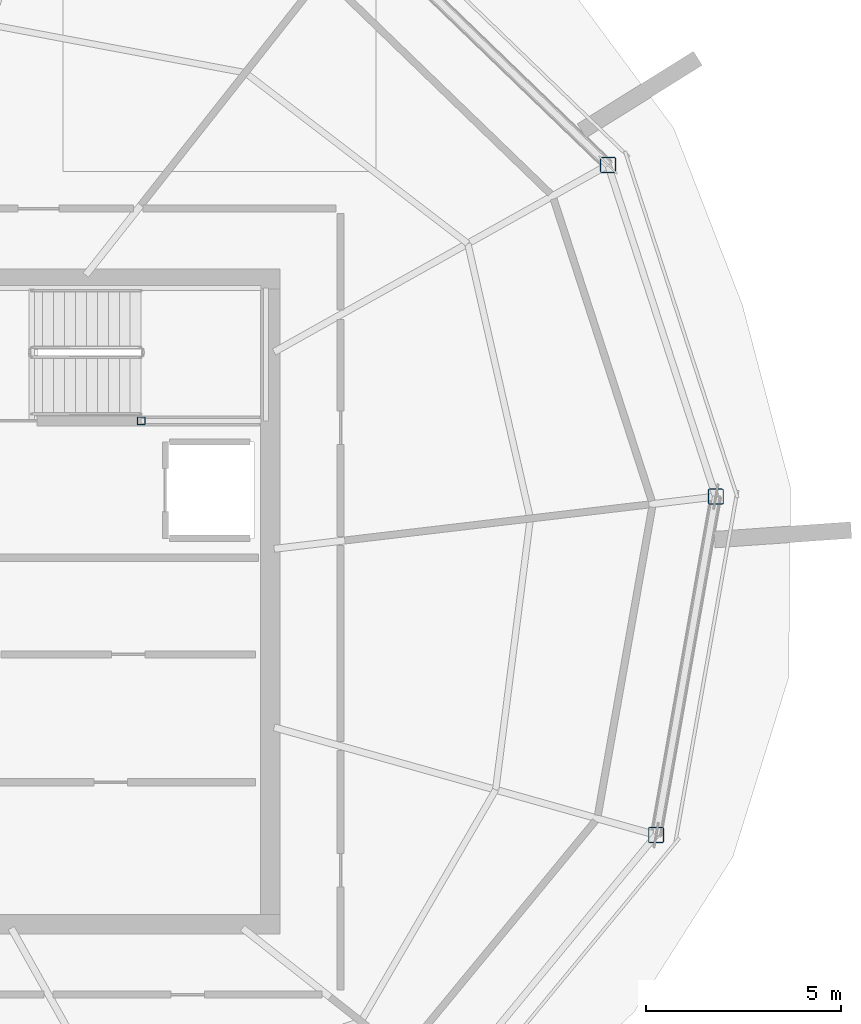
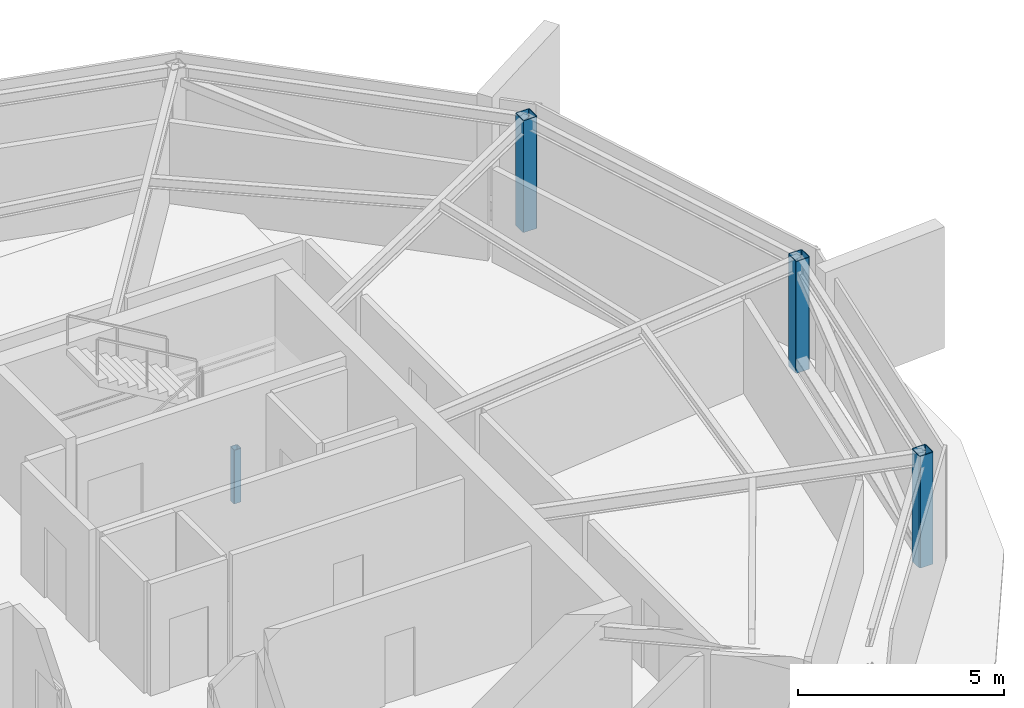
# One storey, part 3 of 10: 4 columns.
"""IFC4 building model written with IfcOpenShell, lengths in metres."""

from ifc_helpers import new_model, si_unit, direction, frame, origin, origin_2d, place, context, subcontext, project, spatial, hollow_rectangle, extrude, material, material_profile, profile_set, type_object, element, save


model = new_model("IFC4")

# Units and contexts
model_context = context("Model", 3, precision=1e-05, world=origin(), true_north=direction((0.0, 1.0)))
body_context = subcontext(model_context, "Body", "Model", "MODEL_VIEW")
ifc_project = project(units=[si_unit("LENGTHUNIT", "METRE"), si_unit("AREAUNIT", "SQUARE_METRE"), si_unit("VOLUMEUNIT", "CUBIC_METRE"), si_unit("PLANEANGLEUNIT", "RADIAN"), si_unit("MASSUNIT", "GRAM", prefix="KILO")], contexts=[model_context])

# Site, building, storey
site_placement = place(None, origin())
site = spatial("IfcSite", under=ifc_project, at=site_placement, CompositionType="ELEMENT")
building_placement = place(site_placement, origin())
building = spatial("IfcBuilding", under=site, at=building_placement, Name="Kazma Halo Residences", CompositionType="ELEMENT")
storey_placement = place(building_placement, frame((0.0, 0.0, 359.60009765625)))
storey = spatial("IfcBuildingStorey", under=building, at=storey_placement, Name="L90", CompositionType="ELEMENT", Elevation=359.60009765625)

# Columns
ifc_material = material(Name="Steel S355", Category="steel")
ifc_material_profile_1 = material_profile(ifc_material, hollow_rectangle(XDim=0.39990234375, YDim=0.39990234375, WallThickness=0.02001953125, InnerFilletRadius=0.02001953125, OuterFilletRadius=0.0400390625, at=origin_2d()), Name="SHS400x400x20")
ifc_profile_set_1 = profile_set([ifc_material_profile_1], Name="Steel S355")
column_type_1 = type_object("IfcColumnType", Name="COL-CROWN-SHS400", PredefinedType="COLUMN", material=ifc_profile_set_1)
for number, where, z_axis, x_axis, name in (
    (1, (67.940673828125, 53.167236328125, 0.0), (0.0, 0.0, 1.0), (1.0, 0.0, 0.0), "L90 CROWN FRAME perimeter column P01"),
    (2, (69.169921875, 36.029541015625, 0.0), (0.0, 0.0, 1.0), (1.0, 0.0, 0.0), "L90 CROWN FRAME perimeter column P15"),
    (3, (70.6962890625, 44.686279296875, 0.0), (0.0, 0.0, 1.0), (1.0, 0.0, 0.0), "L90 CROWN FRAME perimeter column P16"),
):
    element("IfcColumn", number, at=place(storey_placement, frame(where, z_axis=z_axis, x_axis=x_axis)), inside=storey, type_object=column_type_1, Name=name, PredefinedType="COLUMN", context=body_context, shape_type="SweptSolid", body=[
        extrude(hollow_rectangle(XDim=0.39990234375, YDim=0.39990234375, WallThickness=0.02001953125, InnerFilletRadius=0.02001953125, OuterFilletRadius=0.0400390625, at=origin_2d()), origin(), (0.0, 0.0, 1.0), 3.31982421875),
    ])
ifc_material_profile_2 = material_profile(ifc_material, hollow_rectangle(XDim=0.199951171875, YDim=0.199951171875, WallThickness=0.010009765625, InnerFilletRadius=0.010009765625, OuterFilletRadius=0.02001953125, at=origin_2d()), Name="SHS200x200x10")
ifc_profile_set_2 = profile_set([ifc_material_profile_2], Name="Steel S355")
column_type_2 = type_object("IfcColumnType", Name="COL-LP-SHS200", PredefinedType="COLUMN", material=ifc_profile_set_2)
column_placement = place(storey_placement, frame((56.0, 46.6201171875, 0.0), z_axis=(0.0, 0.0, 1.0), x_axis=(1.0, 0.0, 0.0)))
element("IfcColumn", 4, at=column_placement, inside=storey, type_object=column_type_2, Name="L90 ST-02 landing pilaster 1", PredefinedType="COLUMN", context=body_context, shape_type="SweptSolid", body=[
    extrude(hollow_rectangle(XDim=0.199951171875, YDim=0.199951171875, WallThickness=0.010009765625, InnerFilletRadius=0.010009765625, OuterFilletRadius=0.02001953125, at=origin_2d()), origin(), (0.0, 0.0, 1.0), 1.594970703125),
])

save(model, "model.ifc")
